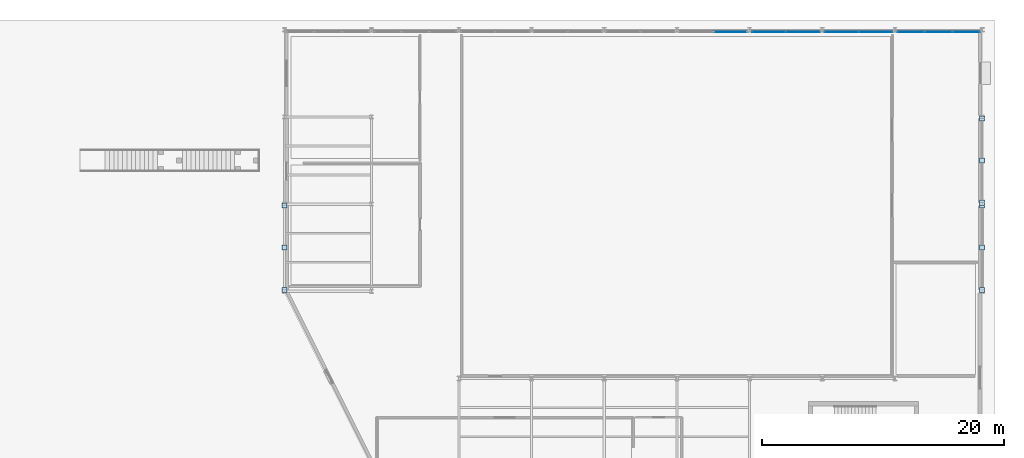
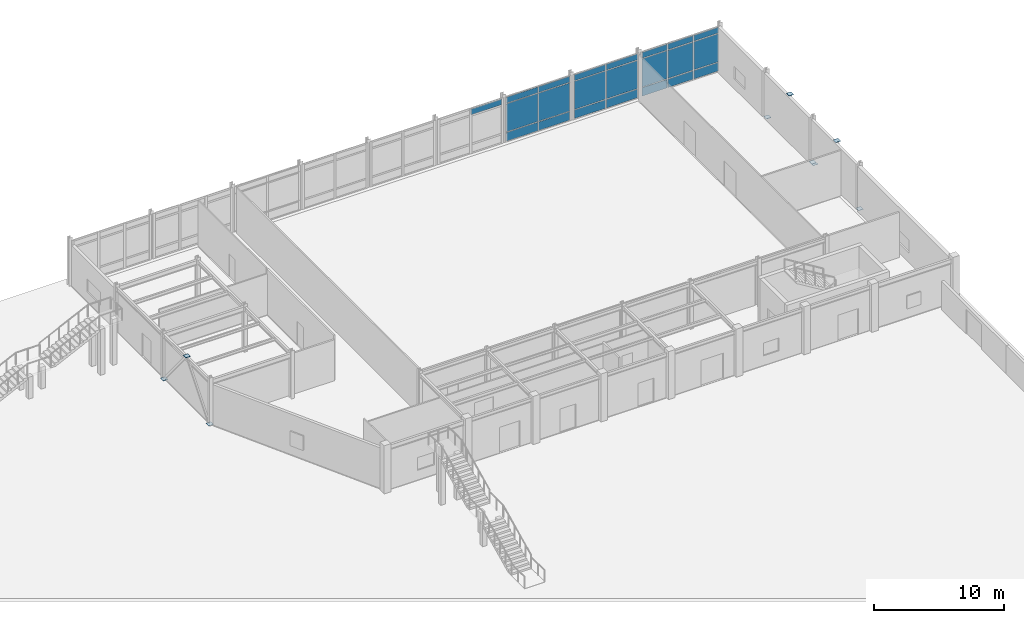
# One storey, part 27 of 58: 31 plates, 4 elements without a shape of their own.
"""IFC4 building model written with IfcOpenShell, lengths in metres."""

from ifc_helpers import new_model, si_unit, direction, frame, origin, origin_2d, place, context, subcontext, project, spatial, rectangle, extrude, material, layer, layer_set, type_object, element, aggregate, save


model = new_model("IFC4")

# Units and contexts
model_context = context("Model", 3, precision=1e-05, world=origin(), true_north=direction((0.0, 1.0)))
body_context = subcontext(model_context, "Body", "Model", "MODEL_VIEW")
ifc_project = project(units=[si_unit("LENGTHUNIT", "METRE"), si_unit("AREAUNIT", "SQUARE_METRE"), si_unit("VOLUMEUNIT", "CUBIC_METRE"), si_unit("PLANEANGLEUNIT", "RADIAN"), si_unit("MASSUNIT", "GRAM", prefix="KILO")], contexts=[model_context])

# Site, building, storey
site_placement = place(None, origin())
site = spatial("IfcSite", under=ifc_project, at=site_placement, CompositionType="ELEMENT")
building_placement = place(site_placement, origin())
building = spatial("IfcBuilding", under=site, at=building_placement, Name="Brisavento Harbour Community Centre", CompositionType="ELEMENT")
storey_placement = place(building_placement, origin())
storey = spatial("IfcBuildingStorey", under=building, at=storey_placement, Name="L00", CompositionType="ELEMENT", Elevation=0.0)

# Curtain wall, plate
ifc_material_1 = material(Name="Marine-anodised aluminium AW-6063-T6", Category="aluminium")
ifc_layer_1 = layer(ifc_material_1, 0.179931640625, Name="Marine-anodised aluminium AW-6063-T6")
ifc_layer_set_1 = layer_set([ifc_layer_1], Name="Marine-anodised aluminium AW-6063-T6")
curtain_wall_type_1 = type_object("IfcCurtainWallType", Name="CW-SYS-12", PredefinedType="USERDEFINED", material=ifc_layer_set_1)
curtain_wall_1_placement = place(storey_placement, origin())
curtain_wall_1 = element("IfcCurtainWall", 1, at=curtain_wall_1_placement, inside=storey, type_object=curtain_wall_type_1, Name="L00 V4 unitised curtain wall 012", ObjectType="UNITISED CURTAIN WALL", PredefinedType="USERDEFINED")
ifc_material_2 = material(Name="Solar-control laminated low-E glass", Category="glass")
ifc_layer_2 = layer(ifc_material_2, 0.028076171875, Name="Solar-control laminated low-E glass")
ifc_layer_set_2 = layer_set([ifc_layer_2], Name="Solar-control laminated low-E glass")
plate_type_1 = type_object("IfcPlateType", Name="CWP-GLZ-2", PredefinedType="CURTAIN_PANEL", material=ifc_layer_set_2)
plate_1_placement = place(storey_placement, frame((152.012451171875, 115.02001953125, 3.6298828125), z_axis=(0.0, 0.0, 1.0), x_axis=(1.0, 0.0, 0.0)))
plate_1 = element("IfcPlate", 2, at=plate_1_placement, type_object=plate_type_1, Name="CW-12 panel 2.3", PredefinedType="CURTAIN_PANEL", context=body_context, shape_type="SweptSolid", body=[
    extrude(rectangle(XDim=2.7451171875, YDim=0.028076171875, at=origin_2d()), origin(), (0.0, 0.0, 1.0), 0.530029296875),
])
aggregate(curtain_wall_1, [plate_1])

# Curtain wall, plates
ifc_layer_3 = layer(ifc_material_1, 0.179931640625, Name="Marine-anodised aluminium AW-6063-T6")
ifc_layer_set_3 = layer_set([ifc_layer_3], Name="Marine-anodised aluminium AW-6063-T6")
curtain_wall_type_2 = type_object("IfcCurtainWallType", Name="CW-SYS-13", PredefinedType="USERDEFINED", material=ifc_layer_set_3)
curtain_wall_2_placement = place(storey_placement, origin())
curtain_wall_2 = element("IfcCurtainWall", 3, at=curtain_wall_2_placement, inside=storey, type_object=curtain_wall_type_2, Name="L00 V4 unitised curtain wall 013", ObjectType="UNITISED CURTAIN WALL", PredefinedType="USERDEFINED")
ifc_layer_4 = layer(ifc_material_2, 0.031982421875, Name="Solar-control laminated low-E glass")
ifc_layer_set_4 = layer_set([ifc_layer_4], Name="Solar-control laminated low-E glass")
plate_type_2 = type_object("IfcPlateType", Name="CWP-GLZ-3", PredefinedType="CURTAIN_PANEL", material=ifc_layer_set_4)
plate_2_placement = place(storey_placement, frame((155.183837890625, 115.02001953125, 0.06494140625), z_axis=(0.0, 0.0, 1.0), x_axis=(1.0, 0.0, 0.0)))
plate_2 = element("IfcPlate", 4, at=plate_2_placement, type_object=plate_type_2, Name="CW-13 panel 1.1", PredefinedType="CURTAIN_PANEL", context=body_context, shape_type="SweptSolid", body=[
    extrude(rectangle(XDim=2.767578125, YDim=0.031982421875, at=origin_2d()), origin(), (0.0, 0.0, 1.0), 0.802490234375),
])
plate_3_placement = place(storey_placement, frame((155.183837890625, 115.02001953125, 0.9326171875), z_axis=(0.0, 0.0, 1.0), x_axis=(1.0, 0.0, 0.0)))
plate_3 = element("IfcPlate", 5, at=plate_3_placement, type_object=plate_type_2, Name="CW-13 panel 1.2", PredefinedType="CURTAIN_PANEL", context=body_context, shape_type="SweptSolid", body=[
    extrude(rectangle(XDim=2.767578125, YDim=0.031982421875, at=origin_2d()), origin(), (0.0, 0.0, 1.0), 2.625),
])
plate_4_placement = place(storey_placement, frame((155.183837890625, 115.02001953125, 3.62255859375), z_axis=(0.0, 0.0, 1.0), x_axis=(1.0, 0.0, 0.0)))
plate_4 = element("IfcPlate", 6, at=plate_4_placement, type_object=plate_type_2, Name="CW-13 panel 1.3", PredefinedType="CURTAIN_PANEL", context=body_context, shape_type="SweptSolid", body=[
    extrude(rectangle(XDim=2.767578125, YDim=0.031982421875, at=origin_2d()), origin(), (0.0, 0.0, 1.0), 0.552490234375),
])
plate_5_placement = place(storey_placement, frame((158.016357421875, 115.02001953125, 0.06494140625), z_axis=(0.0, 0.0, 1.0), x_axis=(1.0, 0.0, 0.0)))
plate_5 = element("IfcPlate", 7, at=plate_5_placement, type_object=plate_type_2, Name="CW-13 panel 2.1", PredefinedType="CURTAIN_PANEL", context=body_context, shape_type="SweptSolid", body=[
    extrude(rectangle(XDim=2.767578125, YDim=0.031982421875, at=origin_2d()), origin(), (0.0, 0.0, 1.0), 0.802490234375),
])
plate_6_placement = place(storey_placement, frame((158.016357421875, 115.02001953125, 0.9326171875), z_axis=(0.0, 0.0, 1.0), x_axis=(1.0, 0.0, 0.0)))
plate_6 = element("IfcPlate", 8, at=plate_6_placement, type_object=plate_type_2, Name="CW-13 panel 2.2", PredefinedType="CURTAIN_PANEL", context=body_context, shape_type="SweptSolid", body=[
    extrude(rectangle(XDim=2.767578125, YDim=0.031982421875, at=origin_2d()), origin(), (0.0, 0.0, 1.0), 2.625),
])
plate_7_placement = place(storey_placement, frame((158.016357421875, 115.02001953125, 3.62255859375), z_axis=(0.0, 0.0, 1.0), x_axis=(1.0, 0.0, 0.0)))
plate_7 = element("IfcPlate", 9, at=plate_7_placement, type_object=plate_type_2, Name="CW-13 panel 2.3", PredefinedType="CURTAIN_PANEL", context=body_context, shape_type="SweptSolid", body=[
    extrude(rectangle(XDim=2.767578125, YDim=0.031982421875, at=origin_2d()), origin(), (0.0, 0.0, 1.0), 0.552490234375),
])
aggregate(curtain_wall_2, [plate_2, plate_3, plate_4, plate_5, plate_6, plate_7])

ifc_layer_5 = layer(ifc_material_1, 0.179931640625, Name="Marine-anodised aluminium AW-6063-T6")
ifc_layer_set_5 = layer_set([ifc_layer_5], Name="Marine-anodised aluminium AW-6063-T6")
curtain_wall_type_3 = type_object("IfcCurtainWallType", Name="CW-SYS-14", PredefinedType="USERDEFINED", material=ifc_layer_set_5)
curtain_wall_3_placement = place(storey_placement, origin())
curtain_wall_3 = element("IfcCurtainWall", 10, at=curtain_wall_3_placement, inside=storey, type_object=curtain_wall_type_3, Name="L00 V4 unitised curtain wall 014", ObjectType="UNITISED CURTAIN WALL", PredefinedType="USERDEFINED")
ifc_layer_6 = layer(ifc_material_2, 0.035888671875, Name="Solar-control laminated low-E glass")
ifc_layer_set_6 = layer_set([ifc_layer_6], Name="Solar-control laminated low-E glass")
plate_type_3 = type_object("IfcPlateType", Name="CWP-GLZ-4", PredefinedType="CURTAIN_PANEL", material=ifc_layer_set_6)
plate_8_placement = place(storey_placement, frame((161.18505859375, 115.02001953125, 0.070068359375), z_axis=(0.0, 0.0, 1.0), x_axis=(1.0, 0.0, 0.0)))
plate_8 = element("IfcPlate", 11, at=plate_8_placement, type_object=plate_type_3, Name="CW-14 panel 1.1", PredefinedType="CURTAIN_PANEL", context=body_context, shape_type="SweptSolid", body=[
    extrude(rectangle(XDim=2.760009765625, YDim=0.035888671875, at=origin_2d()), origin(), (0.0, 0.0, 1.0), 0.794921875),
])
plate_9_placement = place(storey_placement, frame((161.18505859375, 115.02001953125, 0.93505859375), z_axis=(0.0, 0.0, 1.0), x_axis=(1.0, 0.0, 0.0)))
plate_9 = element("IfcPlate", 12, at=plate_9_placement, type_object=plate_type_3, Name="CW-14 panel 1.2", PredefinedType="CURTAIN_PANEL", context=body_context, shape_type="SweptSolid", body=[
    extrude(rectangle(XDim=2.760009765625, YDim=0.035888671875, at=origin_2d()), origin(), (0.0, 0.0, 1.0), 2.6201171875),
])
plate_10_placement = place(storey_placement, frame((161.18505859375, 115.02001953125, 3.625), z_axis=(0.0, 0.0, 1.0), x_axis=(1.0, 0.0, 0.0)))
plate_10 = element("IfcPlate", 13, at=plate_10_placement, type_object=plate_type_3, Name="CW-14 panel 1.3", PredefinedType="CURTAIN_PANEL", context=body_context, shape_type="SweptSolid", body=[
    extrude(rectangle(XDim=2.760009765625, YDim=0.035888671875, at=origin_2d()), origin(), (0.0, 0.0, 1.0), 0.544921875),
])
plate_11_placement = place(storey_placement, frame((164.014892578125, 115.02001953125, 0.070068359375), z_axis=(0.0, 0.0, 1.0), x_axis=(1.0, 0.0, 0.0)))
plate_11 = element("IfcPlate", 14, at=plate_11_placement, type_object=plate_type_3, Name="CW-14 panel 2.1", PredefinedType="CURTAIN_PANEL", context=body_context, shape_type="SweptSolid", body=[
    extrude(rectangle(XDim=2.760009765625, YDim=0.035888671875, at=origin_2d()), origin(), (0.0, 0.0, 1.0), 0.794921875),
])
plate_12_placement = place(storey_placement, frame((164.014892578125, 115.02001953125, 0.93505859375), z_axis=(0.0, 0.0, 1.0), x_axis=(1.0, 0.0, 0.0)))
plate_12 = element("IfcPlate", 15, at=plate_12_placement, type_object=plate_type_3, Name="CW-14 panel 2.2", PredefinedType="CURTAIN_PANEL", context=body_context, shape_type="SweptSolid", body=[
    extrude(rectangle(XDim=2.760009765625, YDim=0.035888671875, at=origin_2d()), origin(), (0.0, 0.0, 1.0), 2.6201171875),
])
plate_13_placement = place(storey_placement, frame((164.014892578125, 115.02001953125, 3.625), z_axis=(0.0, 0.0, 1.0), x_axis=(1.0, 0.0, 0.0)))
plate_13 = element("IfcPlate", 16, at=plate_13_placement, type_object=plate_type_3, Name="CW-14 panel 2.3", PredefinedType="CURTAIN_PANEL", context=body_context, shape_type="SweptSolid", body=[
    extrude(rectangle(XDim=2.760009765625, YDim=0.035888671875, at=origin_2d()), origin(), (0.0, 0.0, 1.0), 0.544921875),
])
aggregate(curtain_wall_3, [plate_8, plate_9, plate_10, plate_11, plate_12, plate_13])

ifc_layer_7 = layer(ifc_material_1, 0.179931640625, Name="Marine-anodised aluminium AW-6063-T6")
ifc_layer_set_7 = layer_set([ifc_layer_7], Name="Marine-anodised aluminium AW-6063-T6")
curtain_wall_type_4 = type_object("IfcCurtainWallType", Name="CW-SYS-15", PredefinedType="USERDEFINED", material=ifc_layer_set_7)
curtain_wall_4_placement = place(storey_placement, origin())
curtain_wall_4 = element("IfcCurtainWall", 17, at=curtain_wall_4_placement, inside=storey, type_object=curtain_wall_type_4, Name="L00 V4 unitised curtain wall 015", ObjectType="UNITISED CURTAIN WALL", PredefinedType="USERDEFINED")
ifc_layer_8 = layer(ifc_material_2, 0.0400390625, Name="Solar-control laminated low-E glass")
ifc_layer_set_8 = layer_set([ifc_layer_8], Name="Solar-control laminated low-E glass")
plate_type_4 = type_object("IfcPlateType", Name="CWP-GLZ-5", PredefinedType="CURTAIN_PANEL", material=ifc_layer_set_8)
plate_14_placement = place(storey_placement, frame((166.90869140625, 115.02001953125, 0.074951171875), z_axis=(0.0, 0.0, 1.0), x_axis=(1.0, 0.0, 0.0)))
plate_14 = element("IfcPlate", 18, at=plate_14_placement, type_object=plate_type_4, Name="CW-15 panel 1.1", PredefinedType="CURTAIN_PANEL", context=body_context, shape_type="SweptSolid", body=[
    extrude(rectangle(XDim=2.197509765625, YDim=0.0400390625, at=origin_2d()), origin(), (0.0, 0.0, 1.0), 0.78759765625),
])
plate_15_placement = place(storey_placement, frame((166.90869140625, 115.02001953125, 0.9375), z_axis=(0.0, 0.0, 1.0), x_axis=(1.0, 0.0, 0.0)))
plate_15 = element("IfcPlate", 19, at=plate_15_placement, type_object=plate_type_4, Name="CW-15 panel 1.2", PredefinedType="CURTAIN_PANEL", context=body_context, shape_type="SweptSolid", body=[
    extrude(rectangle(XDim=2.197509765625, YDim=0.0400390625, at=origin_2d()), origin(), (0.0, 0.0, 1.0), 2.614990234375),
])
plate_16_placement = place(storey_placement, frame((166.90869140625, 115.02001953125, 3.62744140625), z_axis=(0.0, 0.0, 1.0), x_axis=(1.0, 0.0, 0.0)))
plate_16 = element("IfcPlate", 20, at=plate_16_placement, type_object=plate_type_4, Name="CW-15 panel 1.3", PredefinedType="CURTAIN_PANEL", context=body_context, shape_type="SweptSolid", body=[
    extrude(rectangle(XDim=2.197509765625, YDim=0.0400390625, at=origin_2d()), origin(), (0.0, 0.0, 1.0), 0.53759765625),
])
plate_17_placement = place(storey_placement, frame((169.199951171875, 115.02001953125, 0.074951171875), z_axis=(0.0, 0.0, 1.0), x_axis=(1.0, 0.0, 0.0)))
plate_17 = element("IfcPlate", 21, at=plate_17_placement, type_object=plate_type_4, Name="CW-15 panel 2.1", PredefinedType="CURTAIN_PANEL", context=body_context, shape_type="SweptSolid", body=[
    extrude(rectangle(XDim=2.235107421875, YDim=0.0400390625, at=origin_2d()), origin(), (0.0, 0.0, 1.0), 0.78759765625),
])
plate_18_placement = place(storey_placement, frame((169.199951171875, 115.02001953125, 0.9375), z_axis=(0.0, 0.0, 1.0), x_axis=(1.0, 0.0, 0.0)))
plate_18 = element("IfcPlate", 22, at=plate_18_placement, type_object=plate_type_4, Name="CW-15 panel 2.2", PredefinedType="CURTAIN_PANEL", context=body_context, shape_type="SweptSolid", body=[
    extrude(rectangle(XDim=2.235107421875, YDim=0.0400390625, at=origin_2d()), origin(), (0.0, 0.0, 1.0), 2.614990234375),
])
plate_19_placement = place(storey_placement, frame((169.199951171875, 115.02001953125, 3.62744140625), z_axis=(0.0, 0.0, 1.0), x_axis=(1.0, 0.0, 0.0)))
plate_19 = element("IfcPlate", 23, at=plate_19_placement, type_object=plate_type_4, Name="CW-15 panel 2.3", PredefinedType="CURTAIN_PANEL", context=body_context, shape_type="SweptSolid", body=[
    extrude(rectangle(XDim=2.235107421875, YDim=0.0400390625, at=origin_2d()), origin(), (0.0, 0.0, 1.0), 0.53759765625),
])
plate_20_placement = place(storey_placement, frame((171.4912109375, 115.02001953125, 0.074951171875), z_axis=(0.0, 0.0, 1.0), x_axis=(1.0, 0.0, 0.0)))
plate_20 = element("IfcPlate", 24, at=plate_20_placement, type_object=plate_type_4, Name="CW-15 panel 3.1", PredefinedType="CURTAIN_PANEL", context=body_context, shape_type="SweptSolid", body=[
    extrude(rectangle(XDim=2.197509765625, YDim=0.0400390625, at=origin_2d()), origin(), (0.0, 0.0, 1.0), 0.78759765625),
])
plate_21_placement = place(storey_placement, frame((171.4912109375, 115.02001953125, 0.9375), z_axis=(0.0, 0.0, 1.0), x_axis=(1.0, 0.0, 0.0)))
plate_21 = element("IfcPlate", 25, at=plate_21_placement, type_object=plate_type_4, Name="CW-15 panel 3.2", PredefinedType="CURTAIN_PANEL", context=body_context, shape_type="SweptSolid", body=[
    extrude(rectangle(XDim=2.197509765625, YDim=0.0400390625, at=origin_2d()), origin(), (0.0, 0.0, 1.0), 2.614990234375),
])
plate_22_placement = place(storey_placement, frame((171.4912109375, 115.02001953125, 3.62744140625), z_axis=(0.0, 0.0, 1.0), x_axis=(1.0, 0.0, 0.0)))
plate_22 = element("IfcPlate", 26, at=plate_22_placement, type_object=plate_type_4, Name="CW-15 panel 3.3", PredefinedType="CURTAIN_PANEL", context=body_context, shape_type="SweptSolid", body=[
    extrude(rectangle(XDim=2.197509765625, YDim=0.0400390625, at=origin_2d()), origin(), (0.0, 0.0, 1.0), 0.53759765625),
])
aggregate(curtain_wall_4, [plate_14, plate_15, plate_16, plate_17, plate_18, plate_19, plate_20, plate_21, plate_22])

# Plates
ifc_material_3 = material(Name="Steel S355", Category="steel")
ifc_layer_9 = layer(ifc_material_3, 0.02001953125, Name="Steel S355")
ifc_layer_set_9 = layer_set([ifc_layer_9], Name="Steel S355")
plate_type_5 = type_object("IfcPlateType", Name="PLT-GUS-2", PredefinedType="USERDEFINED", material=ifc_layer_set_9)
for number, where, z_axis, x_axis, name in (
    (27, (172.800048828125, 93.716796875, -0.013916015625), (0.0, 0.0, 1.0), (0.0, 1.0, 0.0), "V4-CBF-1-1 hollow-end cap plate 1"),
    (28, (172.800048828125, 97.203125, 4.25390625), (0.0, 0.0, 1.0), (0.0, 1.0, 0.0), "V4-CBF-1-1 hollow-end cap plate 2"),
    (29, (172.800048828125, 100.68310546875, -0.013916015625), (0.0, 0.0, 1.0), (0.0, -1.0, 0.0), "V4-CBF-1-2 hollow-end cap plate 1"),
    (30, (172.800048828125, 100.916748046875, -0.013916015625), (0.0, 0.0, 1.0), (0.0, 1.0, 0.0), "V4-CBF-3-1 hollow-end cap plate 1"),
    (31, (172.800048828125, 104.403076171875, 4.25390625), (0.0, 0.0, 1.0), (0.0, 1.0, 0.0), "V4-CBF-3-1 hollow-end cap plate 2"),
    (32, (172.800048828125, 107.883056640625, -0.013916015625), (0.0, 0.0, 1.0), (0.0, -1.0, 0.0), "V4-CBF-3-2 hollow-end cap plate 1"),
    (33, (115.199951171875, 93.716796875, -0.013916015625), (0.0, 0.0, 1.0), (0.0, 1.0, 0.0), "V4-CBF-4-1 hollow-end cap plate 1"),
    (34, (115.199951171875, 97.203125, 4.25390625), (0.0, 0.0, 1.0), (0.0, 1.0, 0.0), "V4-CBF-4-1 hollow-end cap plate 2"),
    (35, (115.199951171875, 100.68310546875, -0.013916015625), (0.0, 0.0, 1.0), (0.0, -1.0, 0.0), "V4-CBF-4-2 hollow-end cap plate 1"),
):
    element("IfcPlate", number, at=place(storey_placement, frame(where, z_axis=z_axis, x_axis=x_axis)), inside=storey, type_object=plate_type_5, Name=name, ObjectType="GUSSET PLATE", PredefinedType="USERDEFINED", context=body_context, shape_type="SweptSolid", body=[
        extrude(rectangle(XDim=0.419921875, YDim=0.419921875, at=origin_2d()), origin(), (0.0, 0.0, 1.0), 0.02001953125),
    ])

save(model, "model.ifc")
